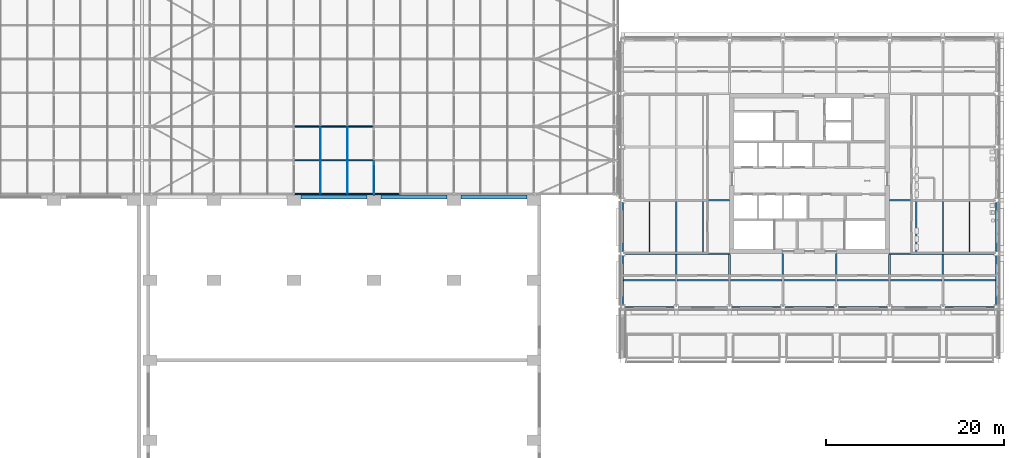
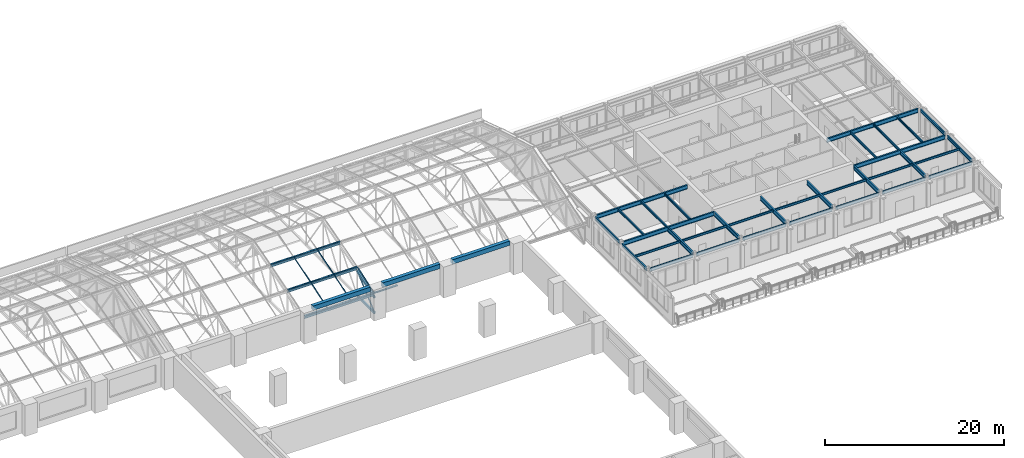
# One storey, part 30 of 82: 37 beams, 21 members, 1 element without a shape of its own.
"""IFC4 building model written with IfcOpenShell, lengths in metres."""

import ifcopenshell
import ifcopenshell.guid

model = None  # the IFC model being written
_history = None  # IfcOwnerHistory: only IFC2X3 demands one
_inside = {}  # id of a spatial element -> (the spatial element, [elements in it])
_under = {}  # id of a project, library or spatial element -> (it, [spatial elements below it])
_declared = {}  # id of a project -> (the project, [libraries it declares])
_typed = {}  # id of a type object -> (the type object, [elements of that type])
_made_of = {}  # id of a material, layer set ... -> (it, [elements and type objects made of it])


def new_model(schema):
    """Start an empty IFC model of exactly this schema.

    Asked for "IFC4X3", IfcOpenShell would pick the latest addendum, in which some entities
    have other attributes; the version numbers below select the first issue.
    IFC2X3 requires an IfcOwnerHistory on every rooted entity: one is made here for all.
    """
    global model, _history
    if schema == "IFC4X3":
        model = ifcopenshell.file(schema_version=(4, 3, 0, 0))
    else:
        model = ifcopenshell.file(schema=schema)
    _inside.clear()
    _under.clear()
    _declared.clear()
    _typed.clear()
    _made_of.clear()
    _history = None
    if model.schema == "IFC2X3":
        org = make("IfcOrganization", Name="unknown")
        user = make(
            "IfcPersonAndOrganization",
            ThePerson=make("IfcPerson", FamilyName="unknown"),
            TheOrganization=org,
        )
        app = make(
            "IfcApplication",
            ApplicationDeveloper=org,
            Version="unknown",
            ApplicationFullName="unknown",
            ApplicationIdentifier="unknown",
        )
        _history = make(
            "IfcOwnerHistory",
            OwningUser=user,
            OwningApplication=app,
            ChangeAction="ADDED",
            CreationDate=0,
        )
    return model


def make(cls, **values):
    """One entity of the class cls with the attributes given. An attribute that is None is left unset."""
    return model.create_entity(
        cls, **{name: value for name, value in values.items() if value is not None}
    )


def rooted(cls, **values):
    """An entity with a GlobalId (a new one), such as an element, a storey or a relation."""
    return make(cls, GlobalId=ifcopenshell.guid.new(), OwnerHistory=_history, **values)


def si_unit(unit_type, name, prefix=None):
    """IfcSIUnit, for example si_unit("LENGTHUNIT", "METRE", prefix="MILLI")."""
    return make("IfcSIUnit", UnitType=unit_type, Prefix=prefix, Name=name)


def assignment(units):
    """IfcUnitAssignment: the units of a project."""
    return None if units is None else make("IfcUnitAssignment", Units=units)


def point(xyz):
    """IfcCartesianPoint."""
    return None if xyz is None else make("IfcCartesianPoint", Coordinates=xyz)


def direction(xyz):
    """IfcDirection."""
    return None if xyz is None else make("IfcDirection", DirectionRatios=xyz)


def frame(location, z_axis=None, x_axis=None):
    """IfcAxis2Placement3D, a coordinate frame: its origin and axes. An axis left out is left unset."""
    return make(
        "IfcAxis2Placement3D",
        Location=point(location),
        Axis=direction(z_axis),
        RefDirection=direction(x_axis),
    )


def frame_2d(location, x_axis=None):
    """IfcAxis2Placement2D, a coordinate frame in the plane: its origin and x axis."""
    return make(
        "IfcAxis2Placement2D", Location=point(location), RefDirection=direction(x_axis)
    )


def origin():
    """The frame at (0, 0, 0) with its axes left unset."""
    return frame((0.0, 0.0, 0.0))


def origin_2d():
    """The frame at (0, 0) in the plane with its x axis left unset."""
    return frame_2d((0.0, 0.0))


def place(relative_to, where):
    """IfcLocalPlacement: puts the frame where relative to a parent placement (None: the world)."""
    return make(
        "IfcLocalPlacement", PlacementRelTo=relative_to, RelativePlacement=where
    )


def context(
    kind, dimensions, precision=None, world=None, true_north=None, identifier=None
):
    """IfcGeometricRepresentationContext, for example the 3D "Model" context."""
    return make(
        "IfcGeometricRepresentationContext",
        ContextIdentifier=identifier,
        ContextType=kind,
        CoordinateSpaceDimension=dimensions,
        Precision=precision,
        WorldCoordinateSystem=world,
        TrueNorth=true_north,
    )


def subcontext(parent, identifier, kind, view, scale=None):
    """IfcGeometricRepresentationSubContext, for example "Body" below "Model"."""
    return make(
        "IfcGeometricRepresentationSubContext",
        ContextIdentifier=identifier,
        ContextType=kind,
        ParentContext=parent,
        TargetScale=scale,
        TargetView=view,
    )


def project(units=None, contexts=None):
    """IfcProject with its units and contexts."""
    return rooted(
        "IfcProject",
        Name="project",
        RepresentationContexts=contexts,
        UnitsInContext=assignment(units),
    )


def spatial(cls, under=None, at=None, **own):
    """A site, building, storey or space (cls), placed at a placement, below another one or the project."""
    s = rooted(cls, ObjectPlacement=at, **own)
    if under is not None:
        _under.setdefault(under.id(), (under, []))[1].append(s)
    return s


def profile(cls, at=None, kind="AREA", **sizes):
    """A parametric profile (cls). Its sizes go by their IFC names, for example OverallWidth=200.0."""
    return make(cls, ProfileType=kind, Position=at, **sizes)


def rectangle(**sizes):
    """IfcRectangleProfileDef."""
    return profile("IfcRectangleProfileDef", **sizes)


def hollow_rectangle(**sizes):
    """IfcRectangleHollowProfileDef."""
    return profile("IfcRectangleHollowProfileDef", **sizes)


def i_section(**sizes):
    """IfcIShapeProfileDef."""
    return profile("IfcIShapeProfileDef", **sizes)


def extrude(swept, where, along, depth):
    """IfcExtrudedAreaSolid: the profile swept, set in the frame where, extruded along a direction by depth."""
    return make(
        "IfcExtrudedAreaSolid",
        SweptArea=swept,
        Position=where,
        ExtrudedDirection=direction(along),
        Depth=depth,
    )


def shape(context_of_items, identifier, shape_type, items):
    """IfcShapeRepresentation: the items that make up one representation, for example the "Body"."""
    return make(
        "IfcShapeRepresentation",
        ContextOfItems=context_of_items,
        RepresentationIdentifier=identifier,
        RepresentationType=shape_type,
        Items=items,
    )


def material(Name=None, Category=None):
    """IfcMaterial."""
    return make("IfcMaterial", Name=Name, Category=Category)


def material_profile(
    of_material, cross_section, Name=None, Category=None, Priority=None
):
    """IfcMaterialProfile: a cross section and its material."""
    return make(
        "IfcMaterialProfile",
        Name=Name,
        Material=of_material,
        Profile=cross_section,
        Priority=Priority,
        Category=Category,
    )


def profile_set(profiles, Name=None, composite=None):
    """IfcMaterialProfileSet."""
    return make(
        "IfcMaterialProfileSet",
        Name=Name,
        MaterialProfiles=profiles,
        CompositeProfile=composite,
    )


def made_of(thing, what):
    """Note that an element or type object is made of a material, layer set ...; save() writes the relation."""
    if what is not None:
        _made_of.setdefault(what.id(), (what, []))[1].append(thing)
    return thing


def type_object(cls, material=None, **own):
    """A type object (cls), such as IfcWallType, which elements share."""
    return made_of(rooted(cls, **own), material)


def element(
    cls,
    number,
    at=None,
    inside=None,
    cuts=None,
    type_object=None,
    material=None,
    context=None,
    identifier="Body",
    shape_type=None,
    held_by="IfcProductDefinitionShape",
    body=None,
    shapes=None,
    **own,
):
    """One element of the class cls, such as IfcWall. Its Tag is "e" and its number.

    at: its placement. inside: the storey or other place that contains it. cuts: it is an
    opening in that element (IfcRelVoidsElement). A single representation is given by context,
    identifier, shape_type and body (its items); several are given by shapes. held_by: the class
    of the entity that holds the representations. save() writes the other relations.
    """
    e = rooted(cls, Tag="e%d" % number, ObjectPlacement=at, **own)
    if body is not None:
        shapes = [shape(context, identifier, shape_type, body)]
    if shapes is not None:
        e.Representation = make(held_by, Representations=shapes)
    if inside is not None:
        _inside.setdefault(inside.id(), (inside, []))[1].append(e)
    if cuts is not None:
        rooted(
            "IfcRelVoidsElement", RelatingBuildingElement=cuts, RelatedOpeningElement=e
        )
    if type_object is not None:
        _typed.setdefault(type_object.id(), (type_object, []))[1].append(e)
    return made_of(e, material)


def aggregate(whole, parts):
    """IfcRelAggregates: a whole, such as a stair, and the parts it consists of."""
    return rooted("IfcRelAggregates", RelatingObject=whole, RelatedObjects=parts)


def save(model, path):
    """Write the relations noted so far, then the file.

    IfcRelAggregates (storeys below a building ...), IfcRelContainedInSpatialStructure (elements
    in a storey), IfcRelDefinesByType, IfcRelAssociatesMaterial and IfcRelDeclares: one each for
    every whole, place, type object, material and project.
    """
    for whole, parts in _under.values():
        aggregate(whole, parts)
    for where, things in _inside.values():
        rooted(
            "IfcRelContainedInSpatialStructure",
            RelatedElements=things,
            RelatingStructure=where,
        )
    for kind, things in _typed.values():
        rooted("IfcRelDefinesByType", RelatedObjects=things, RelatingType=kind)
    for what, things in _made_of.values():
        rooted("IfcRelAssociatesMaterial", RelatedObjects=things, RelatingMaterial=what)
    for by, libraries in _declared.values():
        rooted("IfcRelDeclares", RelatingContext=by, RelatedDefinitions=libraries)
    model.write(path)


model = new_model("IFC4")

# Units and contexts
model_context = context("Model", 3, precision=1e-05, world=origin(), true_north=direction((0.0, 1.0)))
body_context = subcontext(model_context, "Body", "Model", "MODEL_VIEW")
ifc_project = project(units=[si_unit("LENGTHUNIT", "METRE"), si_unit("AREAUNIT", "SQUARE_METRE"), si_unit("VOLUMEUNIT", "CUBIC_METRE"), si_unit("PLANEANGLEUNIT", "RADIAN"), si_unit("MASSUNIT", "GRAM", prefix="KILO")], contexts=[model_context])

# Site, building, storey
site_placement = place(None, origin())
site = spatial("IfcSite", under=ifc_project, at=site_placement, CompositionType="ELEMENT")
building_placement = place(site_placement, origin())
building = spatial("IfcBuilding", under=site, at=building_placement, Name="Aravalli Gate Trade Fair Centre", CompositionType="ELEMENT")
storey_placement = place(building_placement, frame((0.0, 0.0, 19.199951171875)))
storey = spatial("IfcBuildingStorey", under=building, at=storey_placement, Name="L04", CompositionType="ELEMENT", Elevation=19.199951171875)

# Beams
ifc_material_1 = material(Name="Concrete M45", Category="concrete")
ifc_material_profile_1 = material_profile(ifc_material_1, rectangle(XDim=0.449951171875, YDim=0.60009765625, at=origin_2d()), Name="RC 450x600")
ifc_profile_set_1 = profile_set([ifc_material_profile_1], Name="Concrete M45")
beam_type_1 = type_object("IfcBeamType", Name="Congress RC lintel beam 450 x 600", PredefinedType="BEAM", material=ifc_profile_set_1)
for number, where, z_axis, x_axis, name in (
    (1, (123.800048828125, 109.375, 3.900146484375), (1.0, 0.0, 0.0), (0.0, 1.0, 0.0), "Lintel N L04 bay 3"),
    (2, (132.800048828125, 109.375, 3.900146484375), (1.0, 0.0, 0.0), (0.0, 1.0, 0.0), "Lintel N L04 bay 4"),
    (3, (141.800048828125, 109.375, 3.900146484375), (1.0, 0.0, 0.0), (0.0, 1.0, 0.0), "Lintel N L04 bay 5"),
):
    element("IfcBeam", number, at=place(storey_placement, frame(where, z_axis=z_axis, x_axis=x_axis)), inside=storey, type_object=beam_type_1, Name=name, PredefinedType="BEAM", context=body_context, shape_type="SweptSolid", body=[
        extrude(rectangle(XDim=0.449951171875, YDim=0.60009765625, at=origin_2d()), origin(), (0.0, 0.0, 1.0), 7.39990234375),
    ])

# Members
ifc_material_2 = material(Name="Steel E350", Category="steel")
ifc_material_profile_2 = material_profile(ifc_material_2, i_section(OverallWidth=0.139892578125, OverallDepth=0.300048828125, WebThickness=0.0078125, FlangeThickness=0.01318359375, at=origin_2d()), Name="ISMB 300")
ifc_profile_set_2 = profile_set([ifc_material_profile_2], Name="Steel E350")
member_type_1 = type_object("IfcMemberType", Name="ISMB 300 roof purlin", PredefinedType="PURLIN", material=ifc_profile_set_2)
for number, where, z_axis, x_axis, name in (
    (4, (123.0, 109.699951171875, 2.60302734375), (1.0, 0.0, 0.0), (0.0, 1.0, 0.0), "Vault purlin 14-15 F0"),
    (5, (123.0, 113.5, 3.851318359375), (1.0, 0.0, 0.0), (0.0, 1.0, 0.0), "Vault purlin 14-15 F1"),
    (6, (123.0, 117.300048828125, 4.999267578125), (1.0, 0.0, 0.0), (0.0, 1.0, 0.0), "Vault purlin 14-15 F2"),
):
    element("IfcMember", number, at=place(storey_placement, frame(where, z_axis=z_axis, x_axis=x_axis)), inside=storey, type_object=member_type_1, Name=name, PredefinedType="PURLIN", context=body_context, shape_type="SweptSolid", body=[
        extrude(i_section(OverallWidth=0.139892578125, OverallDepth=0.300048828125, WebThickness=0.0078125, FlangeThickness=0.01318359375, at=origin_2d()), origin(), (0.0, 0.0, 1.0), 9.0),
    ])
ifc_material_profile_3 = material_profile(ifc_material_2, hollow_rectangle(XDim=0.199951171875, YDim=0.300048828125, WallThickness=0.011962890625, at=origin_2d()), Name="RHS 300x200x12")
ifc_profile_set_3 = profile_set([ifc_material_profile_3], Name="Steel E350")
member_type_2 = type_object("IfcMemberType", Name="RHS 300x200x12 CT1 truss chord", PredefinedType="CHORD", material=ifc_profile_set_3)
member_1_placement = place(storey_placement, frame((132.0, 109.60009765625, 2.2392578125), z_axis=(0.0, 0.949918822061, 0.312496770373), x_axis=(-1.0, 0.0, 0.0)))
element("IfcMember", 7, at=member_1_placement, inside=storey, type_object=member_type_2, Name="Concourse vault truss CT1 line 15 top chord T1", PredefinedType="CHORD", context=body_context, shape_type="SweptSolid", body=[
    extrude(hollow_rectangle(XDim=0.199951171875, YDim=0.300048828125, WallThickness=0.011962890625, at=origin_2d()), origin(), (0.0, 0.0, 1.0), 4.10546875),
])
member_2_placement = place(storey_placement, frame((132.0, 109.60009765625, 0.150146484375), z_axis=(0.0, 1.0, 0.0), x_axis=(-1.0, 0.0, 0.0)))
element("IfcMember", 8, at=member_2_placement, inside=storey, type_object=member_type_2, Name="Concourse vault truss CT1 line 15 bottom chord B1", PredefinedType="CHORD", context=body_context, shape_type="SweptSolid", body=[
    extrude(hollow_rectangle(XDim=0.199951171875, YDim=0.300048828125, WallThickness=0.011962890625, at=origin_2d()), origin(), (0.0, 0.0, 1.0), 3.89990234375),
])
ifc_material_profile_4 = material_profile(ifc_material_2, hollow_rectangle(XDim=0.125, YDim=0.125, WallThickness=0.006103515625, at=origin_2d()), Name="SHS 125x125x6")
ifc_profile_set_4 = profile_set([ifc_material_profile_4], Name="Steel E350")
member_type_3 = type_object("IfcMemberType", Name="SHS 125x125x6 CT1 truss diagonal", PredefinedType="BRACE", material=ifc_profile_set_4)
member_3_placement = place(storey_placement, frame((132.0, 109.7734375, 0.300048828125), z_axis=(0.0, 0.756430814482, 0.654073713661), x_axis=(-1.0, 0.0, 0.0)))
element("IfcMember", 9, at=member_3_placement, inside=storey, type_object=member_type_3, Name="Concourse vault truss CT1 line 15 diagonal D1", PredefinedType="BRACE", context=body_context, shape_type="SweptSolid", body=[
    extrude(hollow_rectangle(XDim=0.125, YDim=0.125, WallThickness=0.006103515625, at=origin_2d()), origin(), (0.0, 0.0, 1.0), 4.53662109375),
])
ifc_material_3 = material(Name="Aluminium", Category="aluminium")
ifc_material_profile_5 = material_profile(ifc_material_3, rectangle(XDim=0.139892578125, YDim=0.1201171875, at=origin_2d()), Name="Vault fold cap 140 x 120")
ifc_profile_set_5 = profile_set([ifc_material_profile_5], Name="Aluminium")
member_type_4 = type_object("IfcMemberType", Name="Vault fold cap 140 x 120", PredefinedType="USERDEFINED", material=ifc_profile_set_5)
for number, where, z_axis, x_axis, name in (
    (10, (123.030029296875, 109.699951171875, 2.81298828125), (1.0, 0.0, 0.0), (0.0, 1.0, 0.0), "Vault fold cap e8.0"),
    (11, (123.030029296875, 113.5, 4.061279296875), (1.0, 0.0, 0.0), (0.0, 1.0, 0.0), "Vault fold cap e8.1"),
    (12, (123.030029296875, 117.300048828125, 5.209228515625), (1.0, 0.0, 0.0), (0.0, 1.0, 0.0), "Vault fold cap e8.2"),
    (13, (126.030029296875, 109.699951171875, 2.81298828125), (1.0, 0.0, 0.0), (0.0, 1.0, 0.0), "Vault fold cap e9.0"),
    (14, (126.030029296875, 113.5, 4.061279296875), (1.0, 0.0, 0.0), (0.0, 1.0, 0.0), "Vault fold cap e9.1"),
    (15, (126.030029296875, 117.300048828125, 5.209228515625), (1.0, 0.0, 0.0), (0.0, 1.0, 0.0), "Vault fold cap e9.2"),
    (16, (129.030029296875, 109.699951171875, 2.81298828125), (1.0, 0.0, 0.0), (0.0, 1.0, 0.0), "Vault fold cap e10.0"),
    (17, (129.030029296875, 113.5, 4.061279296875), (1.0, 0.0, 0.0), (0.0, 1.0, 0.0), "Vault fold cap e10.1"),
    (18, (129.030029296875, 117.300048828125, 5.209228515625), (1.0, 0.0, 0.0), (0.0, 1.0, 0.0), "Vault fold cap e10.2"),
    (19, (132.030029296875, 109.699951171875, 2.81298828125), (1.0, 0.0, 0.0), (0.0, 1.0, 0.0), "Vault fold cap e11.0"),
):
    element("IfcMember", number, at=place(storey_placement, frame(where, z_axis=z_axis, x_axis=x_axis)), inside=storey, type_object=member_type_4, Name=name, ObjectType="FOLD CAP", PredefinedType="USERDEFINED", context=body_context, shape_type="SweptSolid", body=[
        extrude(rectangle(XDim=0.139892578125, YDim=0.1201171875, at=origin_2d()), origin(), (0.0, 0.0, 1.0), 2.93994140625),
    ])

# Curtain wall, members
ifc_material_4 = material(Name="Aluminium and glass", Category="aluminium")
curtain_wall_type = type_object("IfcCurtainWallType", Name="Vault curtain wall, sloped glazing", PredefinedType="NOTDEFINED", material=ifc_material_4)
curtain_wall_placement = place(storey_placement, origin())
curtain_wall = element("IfcCurtainWall", 20, at=curtain_wall_placement, inside=storey, type_object=curtain_wall_type, Name="Vault curtain wall e", PredefinedType="NOTDEFINED")
ifc_material_profile_6 = material_profile(ifc_material_3, rectangle(XDim=0.06005859375, YDim=0.1201171875, at=origin_2d()), Name="Vault glazing bar 60 x 120")
ifc_profile_set_6 = profile_set([ifc_material_profile_6], Name="Aluminium")
member_type_5 = type_object("IfcMemberType", Name="Vault glazing bar 60 x 120", PredefinedType="USERDEFINED", material=ifc_profile_set_6)
member_4_placement = place(storey_placement, frame((126.0, 109.77001953125, 2.81005859375), z_axis=(0.0, 0.949930492103, 0.31246129388), x_axis=(-1.0, 0.0, 0.0)))
member_4 = element("IfcMember", 21, at=member_4_placement, type_object=member_type_5, Name="Vault glazing bar e9.1", ObjectType="GLAZING BAR", PredefinedType="USERDEFINED", context=body_context, shape_type="SweptSolid", body=[
    extrude(rectangle(XDim=0.06005859375, YDim=0.1201171875, at=origin_2d()), origin(), (0.0, 0.0, 1.0), 3.852783203125),
])
member_5_placement = place(storey_placement, frame((126.0, 113.570068359375, 4.05859375), z_axis=(0.0, 0.957125834694, 0.289672464279), x_axis=(-1.0, 0.0, 0.0)))
member_5 = element("IfcMember", 22, at=member_5_placement, type_object=member_type_5, Name="Vault glazing bar e9.2", ObjectType="GLAZING BAR", PredefinedType="USERDEFINED", context=body_context, shape_type="SweptSolid", body=[
    extrude(rectangle(XDim=0.06005859375, YDim=0.1201171875, at=origin_2d()), origin(), (0.0, 0.0, 1.0), 3.823974609375),
])
member_6_placement = place(storey_placement, frame((129.0, 109.77001953125, 2.81005859375), z_axis=(0.0, 0.949930492103, 0.31246129388), x_axis=(-1.0, 0.0, 0.0)))
member_6 = element("IfcMember", 23, at=member_6_placement, type_object=member_type_5, Name="Vault glazing bar e10.1", ObjectType="GLAZING BAR", PredefinedType="USERDEFINED", context=body_context, shape_type="SweptSolid", body=[
    extrude(rectangle(XDim=0.06005859375, YDim=0.1201171875, at=origin_2d()), origin(), (0.0, 0.0, 1.0), 3.852783203125),
])
member_7_placement = place(storey_placement, frame((129.0, 113.570068359375, 4.05859375), z_axis=(0.0, 0.957125834694, 0.289672464279), x_axis=(-1.0, 0.0, 0.0)))
member_7 = element("IfcMember", 24, at=member_7_placement, type_object=member_type_5, Name="Vault glazing bar e10.2", ObjectType="GLAZING BAR", PredefinedType="USERDEFINED", context=body_context, shape_type="SweptSolid", body=[
    extrude(rectangle(XDim=0.06005859375, YDim=0.1201171875, at=origin_2d()), origin(), (0.0, 0.0, 1.0), 3.823974609375),
])
member_8_placement = place(storey_placement, frame((132.0, 109.77001953125, 2.81005859375), z_axis=(0.0, 0.949930492103, 0.31246129388), x_axis=(-1.0, 0.0, 0.0)))
member_8 = element("IfcMember", 25, at=member_8_placement, type_object=member_type_5, Name="Vault glazing bar e11.1", ObjectType="GLAZING BAR", PredefinedType="USERDEFINED", context=body_context, shape_type="SweptSolid", body=[
    extrude(rectangle(XDim=0.06005859375, YDim=0.1201171875, at=origin_2d()), origin(), (0.0, 0.0, 1.0), 3.852783203125),
])
aggregate(curtain_wall, [member_4, member_5, member_6, member_7, member_8])

# Beams
ifc_material_profile_7 = material_profile(ifc_material_2, i_section(OverallWidth=0.18994140625, OverallDepth=0.550048828125, WebThickness=0.01123046875, FlangeThickness=0.019287109375, at=origin_2d()), Name="ISMB 550")
ifc_profile_set_7 = profile_set([ifc_material_profile_7], Name="Steel E350")
beam_type_2 = type_object("IfcBeamType", Name="Wing core to perimeter girder ISMB 550 (capital and roof)", PredefinedType="BEAM", material=ifc_profile_set_7)
for number, where, z_axis, x_axis, name in (
    (26, (160.22509765625, 103.0, 3.72509765625), (1.0, 0.0, 0.0), (0.0, 1.0, 0.0), "Core to perimeter girder PW0 ROOF LEVEL 1"),
    (27, (190.0, 103.0, 3.72509765625), (1.0, 0.0, 0.0), (0.0, 1.0, 0.0), "Core to perimeter girder PE0 ROOF LEVEL 1"),
    (28, (160.22509765625, 109.0, 3.72509765625), (1.0, 0.0, 0.0), (0.0, 1.0, 0.0), "Core to perimeter girder PW1 ROOF LEVEL 1"),
    (29, (190.0, 109.0, 3.72509765625), (1.0, 0.0, 0.0), (0.0, 1.0, 0.0), "Core to perimeter girder PE1 ROOF LEVEL 1"),
):
    element("IfcBeam", number, at=place(storey_placement, frame(where, z_axis=z_axis, x_axis=x_axis)), inside=storey, type_object=beam_type_2, Name=name, PredefinedType="BEAM", context=body_context, shape_type="SweptSolid", body=[
        extrude(i_section(OverallWidth=0.18994140625, OverallDepth=0.550048828125, WebThickness=0.01123046875, FlangeThickness=0.019287109375, at=origin_2d()), origin(), (0.0, 0.0, 1.0), 11.77490234375),
    ])
beam_1_placement = place(storey_placement, frame((172.0, 97.22509765625, 3.72509765625), z_axis=(0.0, 1.0, 0.0), x_axis=(-1.0, 0.0, 0.0)))
element("IfcBeam", 30, at=beam_1_placement, inside=storey, type_object=beam_type_2, Name="Core to perimeter girder PS0b ROOF LEVEL 1", PredefinedType="BEAM", context=body_context, shape_type="SweptSolid", body=[
    extrude(i_section(OverallWidth=0.18994140625, OverallDepth=0.550048828125, WebThickness=0.01123046875, FlangeThickness=0.019287109375, at=origin_2d()), origin(), (0.0, 0.0, 1.0), 5.679931640625),
])
for number, where, z_axis, x_axis, name in (
    (31, (178.0, 97.22509765625, 3.72509765625), (0.0, 1.0, 0.0), (-1.0, 0.0, 0.0), "Core to perimeter girder PS1b ROOF LEVEL 1"),
    (32, (184.0, 97.22509765625, 3.72509765625), (0.0, 1.0, 0.0), (-1.0, 0.0, 0.0), "Core to perimeter girder PS2b ROOF LEVEL 1"),
):
    element("IfcBeam", number, at=place(storey_placement, frame(where, z_axis=z_axis, x_axis=x_axis)), inside=storey, type_object=beam_type_2, Name=name, PredefinedType="BEAM", context=body_context, shape_type="SweptSolid", body=[
        extrude(i_section(OverallWidth=0.18994140625, OverallDepth=0.550048828125, WebThickness=0.01123046875, FlangeThickness=0.019287109375, at=origin_2d()), origin(), (0.0, 0.0, 1.0), 5.77490234375),
    ])
beam_2_placement = place(storey_placement, frame((190.0, 97.22509765625, 3.72509765625), z_axis=(0.0, 1.0, 0.0), x_axis=(-1.0, 0.0, 0.0)))
element("IfcBeam", 33, at=beam_2_placement, inside=storey, type_object=beam_type_2, Name="Core to perimeter girder PS3b ROOF LEVEL 1", PredefinedType="BEAM", context=body_context, shape_type="SweptSolid", body=[
    extrude(i_section(OverallWidth=0.18994140625, OverallDepth=0.550048828125, WebThickness=0.01123046875, FlangeThickness=0.019287109375, at=origin_2d()), origin(), (0.0, 0.0, 1.0), 5.679931640625),
])
ifc_material_profile_8 = material_profile(ifc_material_2, i_section(OverallWidth=0.18994140625, OverallDepth=0.550048828125, WebThickness=0.01123046875, FlangeThickness=0.019287109375, at=origin_2d()), Name="ISMB 550")
ifc_profile_set_8 = profile_set([ifc_material_profile_8], Name="Steel E350")
beam_type_3 = type_object("IfcBeamType", Name="Wing corner transfer girder ISMB 550 (capital and roof)", PredefinedType="BEAM", material=ifc_profile_set_8)
for number, where, z_axis, x_axis, name in (
    (34, (166.0, 97.22509765625, 3.72509765625), (0.0, 1.0, 0.0), (-1.0, 0.0, 0.0), "Corner transfer girder CSWyb ROOF LEVEL 1"),
    (35, (196.0, 97.22509765625, 3.72509765625), (0.0, 1.0, 0.0), (-1.0, 0.0, 0.0), "Corner transfer girder CSEyb ROOF LEVEL 1"),
):
    element("IfcBeam", number, at=place(storey_placement, frame(where, z_axis=z_axis, x_axis=x_axis)), inside=storey, type_object=beam_type_3, Name=name, PredefinedType="BEAM", context=body_context, shape_type="SweptSolid", body=[
        extrude(i_section(OverallWidth=0.18994140625, OverallDepth=0.550048828125, WebThickness=0.01123046875, FlangeThickness=0.019287109375, at=origin_2d()), origin(), (0.0, 0.0, 1.0), 5.679931640625),
    ])
ifc_material_profile_9 = material_profile(ifc_material_2, i_section(OverallWidth=0.14990234375, OverallDepth=0.449951171875, WebThickness=0.009521484375, FlangeThickness=0.017333984375, at=origin_2d()), Name="ISMB 450")
ifc_profile_set_9 = profile_set([ifc_material_profile_9], Name="Steel E350")
beam_type_4 = type_object("IfcBeamType", Name="Wing perimeter beam ISMB 450 (capital and roof)", PredefinedType="BEAM", material=ifc_profile_set_9)
for number, where, z_axis, x_axis, name in (
    (36, (160.22509765625, 97.0, 3.775146484375), (1.0, 0.0, 0.0), (0.0, 1.0, 0.0), "Perimeter beam ER0 ROOF LEVEL 1"),
    (37, (166.22509765625, 97.0, 3.775146484375), (1.0, 0.0, 0.0), (0.0, 1.0, 0.0), "Perimeter beam ER1 ROOF LEVEL 1"),
    (38, (172.22509765625, 97.0, 3.775146484375), (1.0, 0.0, 0.0), (0.0, 1.0, 0.0), "Perimeter beam ER2 ROOF LEVEL 1"),
    (39, (178.22509765625, 97.0, 3.775146484375), (1.0, 0.0, 0.0), (0.0, 1.0, 0.0), "Perimeter beam ER3 ROOF LEVEL 1"),
    (40, (184.22509765625, 97.0, 3.775146484375), (1.0, 0.0, 0.0), (0.0, 1.0, 0.0), "Perimeter beam ER4 ROOF LEVEL 1"),
    (41, (190.22509765625, 97.0, 3.775146484375), (1.0, 0.0, 0.0), (0.0, 1.0, 0.0), "Perimeter beam ER5 ROOF LEVEL 1"),
    (42, (196.22509765625, 97.0, 3.775146484375), (1.0, 0.0, 0.0), (0.0, 1.0, 0.0), "Perimeter beam ER6 ROOF LEVEL 1"),
    (43, (160.0, 97.22509765625, 3.775146484375), (0.0, 1.0, 0.0), (-1.0, 0.0, 0.0), "Perimeter beam EW1 ROOF LEVEL 1"),
    (44, (202.0, 97.22509765625, 3.775146484375), (0.0, 1.0, 0.0), (-1.0, 0.0, 0.0), "Perimeter beam EE1 ROOF LEVEL 1"),
    (45, (160.0, 103.22509765625, 3.775146484375), (0.0, 1.0, 0.0), (-1.0, 0.0, 0.0), "Perimeter beam EW2 ROOF LEVEL 1"),
    (46, (202.0, 103.22509765625, 3.775146484375), (0.0, 1.0, 0.0), (-1.0, 0.0, 0.0), "Perimeter beam EE2 ROOF LEVEL 1"),
):
    element("IfcBeam", number, at=place(storey_placement, frame(where, z_axis=z_axis, x_axis=x_axis)), inside=storey, type_object=beam_type_4, Name=name, PredefinedType="BEAM", context=body_context, shape_type="SweptSolid", body=[
        extrude(i_section(OverallWidth=0.14990234375, OverallDepth=0.449951171875, WebThickness=0.009521484375, FlangeThickness=0.017333984375, at=origin_2d()), origin(), (0.0, 0.0, 1.0), 5.5498046875),
    ])
ifc_material_profile_10 = material_profile(ifc_material_2, i_section(OverallWidth=0.139892578125, OverallDepth=0.300048828125, WebThickness=0.0078125, FlangeThickness=0.01318359375, at=origin_2d()), Name="ISMB 300")
ifc_profile_set_10 = profile_set([ifc_material_profile_10], Name="Steel E350")
beam_type_5 = type_object("IfcBeamType", Name="Wing secondary beam ISMB 300 (capital and roof)", PredefinedType="BEAM", material=ifc_profile_set_10)
beam_3_placement = place(storey_placement, frame((160.074951171875, 100.0, 3.85009765625), z_axis=(1.0, 0.0, 0.0), x_axis=(0.0, 1.0, 0.0)))
element("IfcBeam", 47, at=beam_3_placement, inside=storey, type_object=beam_type_5, Name="Secondary beam KWS10 ROOF LEVEL 1", PredefinedType="BEAM", context=body_context, shape_type="SweptSolid", body=[
    extrude(i_section(OverallWidth=0.139892578125, OverallDepth=0.300048828125, WebThickness=0.0078125, FlangeThickness=0.01318359375, at=origin_2d()), origin(), (0.0, 0.0, 1.0), 5.830078125),
])
for number, where, z_axis, x_axis, name in (
    (48, (166.094970703125, 100.0, 3.85009765625), (1.0, 0.0, 0.0), (0.0, 1.0, 0.0), "Secondary beam KWS11 ROOF LEVEL 1"),
    (49, (190.094970703125, 100.0, 3.85009765625), (1.0, 0.0, 0.0), (0.0, 1.0, 0.0), "Secondary beam KES10 ROOF LEVEL 1"),
):
    element("IfcBeam", number, at=place(storey_placement, frame(where, z_axis=z_axis, x_axis=x_axis)), inside=storey, type_object=beam_type_5, Name=name, PredefinedType="BEAM", context=body_context, shape_type="SweptSolid", body=[
        extrude(i_section(OverallWidth=0.139892578125, OverallDepth=0.300048828125, WebThickness=0.0078125, FlangeThickness=0.01318359375, at=origin_2d()), origin(), (0.0, 0.0, 1.0), 5.81005859375),
    ])
beam_4_placement = place(storey_placement, frame((196.094970703125, 100.0, 3.85009765625), z_axis=(1.0, 0.0, 0.0), x_axis=(0.0, 1.0, 0.0)))
element("IfcBeam", 50, at=beam_4_placement, inside=storey, type_object=beam_type_5, Name="Secondary beam KES11 ROOF LEVEL 1", PredefinedType="BEAM", context=body_context, shape_type="SweptSolid", body=[
    extrude(i_section(OverallWidth=0.139892578125, OverallDepth=0.300048828125, WebThickness=0.0078125, FlangeThickness=0.01318359375, at=origin_2d()), origin(), (0.0, 0.0, 1.0), 5.830078125),
])
for number, where, z_axis, x_axis, name in (
    (51, (163.0, 103.094970703125, 3.85009765625), (0.0, 1.0, 0.0), (-1.0, 0.0, 0.0), "Secondary beam BW0163 ROOF LEVEL 1"),
    (52, (166.0, 103.094970703125, 3.85009765625), (0.0, 1.0, 0.0), (-1.0, 0.0, 0.0), "Secondary beam BW0166 ROOF LEVEL 1"),
    (53, (169.0, 103.094970703125, 3.85009765625), (0.0, 1.0, 0.0), (-1.0, 0.0, 0.0), "Secondary beam BW0169 ROOF LEVEL 1"),
    (54, (193.0, 103.094970703125, 3.85009765625), (0.0, 1.0, 0.0), (-1.0, 0.0, 0.0), "Secondary beam BE0193 ROOF LEVEL 1"),
    (55, (196.0, 103.094970703125, 3.85009765625), (0.0, 1.0, 0.0), (-1.0, 0.0, 0.0), "Secondary beam BE0196 ROOF LEVEL 1"),
    (56, (199.0, 103.094970703125, 3.85009765625), (0.0, 1.0, 0.0), (-1.0, 0.0, 0.0), "Secondary beam BE0199 ROOF LEVEL 1"),
    (57, (172.094970703125, 100.0, 3.85009765625), (1.0, 0.0, 0.0), (0.0, 1.0, 0.0), "Secondary beam BS0100 ROOF LEVEL 1"),
    (58, (178.094970703125, 100.0, 3.85009765625), (1.0, 0.0, 0.0), (0.0, 1.0, 0.0), "Secondary beam BS1100 ROOF LEVEL 1"),
    (59, (184.094970703125, 100.0, 3.85009765625), (1.0, 0.0, 0.0), (0.0, 1.0, 0.0), "Secondary beam BS2100 ROOF LEVEL 1"),
):
    element("IfcBeam", number, at=place(storey_placement, frame(where, z_axis=z_axis, x_axis=x_axis)), inside=storey, type_object=beam_type_5, Name=name, PredefinedType="BEAM", context=body_context, shape_type="SweptSolid", body=[
        extrude(i_section(OverallWidth=0.139892578125, OverallDepth=0.300048828125, WebThickness=0.0078125, FlangeThickness=0.01318359375, at=origin_2d()), origin(), (0.0, 0.0, 1.0), 5.81005859375),
    ])

save(model, "model.ifc")
